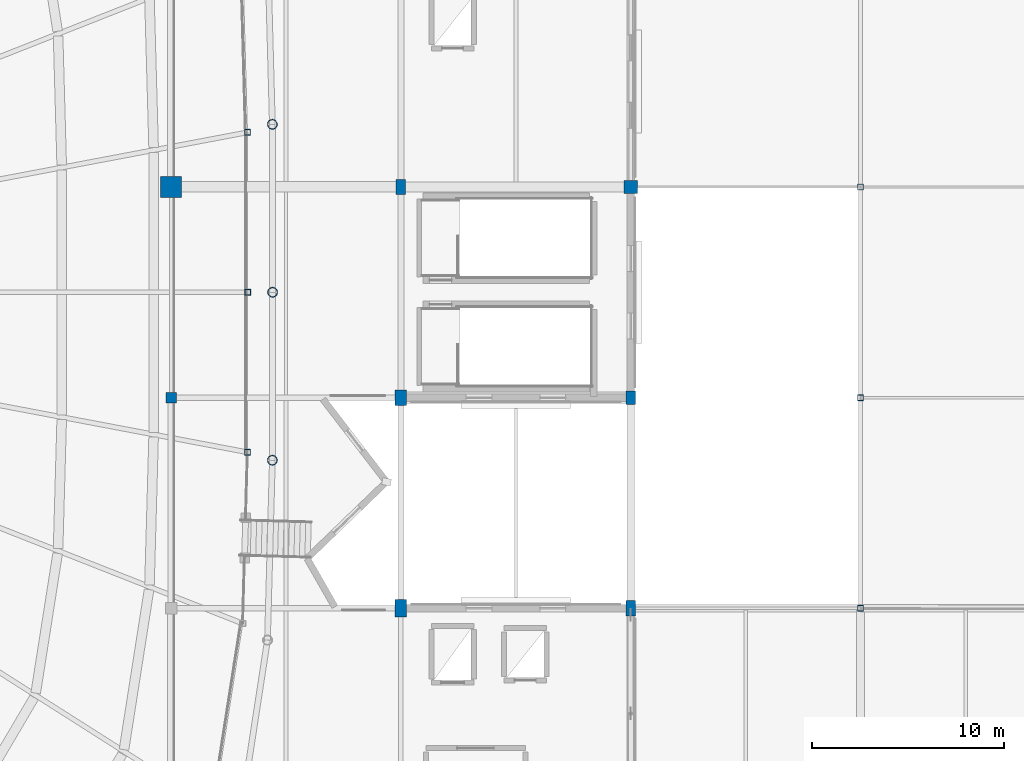
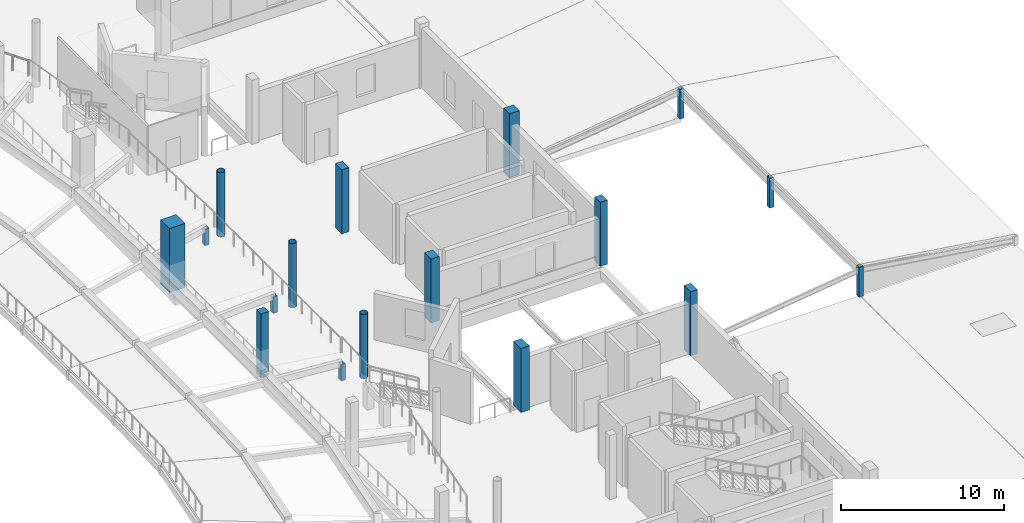
# One storey, part 13 of 77: 17 columns.
"""IFC4 building model written with IfcOpenShell, lengths in metres."""

from ifc_helpers import new_model, si_unit, direction, frame, origin, origin_2d, place, context, subcontext, project, spatial, rectangle, hollow_rectangle, hollow_circle, extrude, material, material_profile, profile_set, type_object, element, save


model = new_model("IFC4")

# Units and contexts
model_context = context("Model", 3, precision=1e-05, world=origin(), true_north=direction((0.0, 1.0)))
body_context = subcontext(model_context, "Body", "Model", "MODEL_VIEW")
ifc_project = project(units=[si_unit("LENGTHUNIT", "METRE"), si_unit("AREAUNIT", "SQUARE_METRE"), si_unit("VOLUMEUNIT", "CUBIC_METRE"), si_unit("PLANEANGLEUNIT", "RADIAN"), si_unit("MASSUNIT", "GRAM", prefix="KILO")], contexts=[model_context])

# Site, building, storey
site_placement = place(None, origin())
site = spatial("IfcSite", under=ifc_project, at=site_placement, CompositionType="ELEMENT")
building_placement = place(site_placement, origin())
building = spatial("IfcBuilding", under=site, at=building_placement, Name="Luwafu Chhajja Arena", CompositionType="ELEMENT")
storey_placement = place(building_placement, frame((0.0, 0.0, 14.699951171875)))
storey = spatial("IfcBuildingStorey", under=building, at=storey_placement, Name="L03", CompositionType="ELEMENT", Elevation=14.699951171875)

# Columns
ifc_material_1 = material(Name="Concrete C35/45", Category="concrete")
ifc_material_profile_1 = material_profile(ifc_material_1, rectangle(XDim=0.5, YDim=0.800048828125, at=origin_2d()), Name="RC 500x800")
ifc_profile_set_1 = profile_set([ifc_material_profile_1], Name="Concrete C35/45")
column_type_1 = type_object("IfcColumnType", Name="BOH Frame Column RC 500x800", PredefinedType="COLUMN", material=ifc_profile_set_1)
for number, where, z_axis, x_axis, name in (
    (1, (152.0, 55.0, 0.0), (0.0, 0.0, 1.0), (1.0, 0.0, 0.0), "L03 Grid Column 14/F"),
    (2, (164.0, 33.0, 0.0), (0.0, 0.0, 1.0), (1.0, 0.0, 0.0), "L03 Grid Column 15/D"),
):
    element("IfcColumn", number, at=place(storey_placement, frame(where, z_axis=z_axis, x_axis=x_axis)), inside=storey, type_object=column_type_1, Name=name, PredefinedType="COLUMN", context=body_context, shape_type="SweptSolid", body=[
        extrude(rectangle(XDim=0.5, YDim=0.800048828125, at=origin_2d()), origin(), (0.0, 0.0, 1.0), 4.800048828125),
    ])
ifc_material_2 = material(Name="Concrete C40/50", Category="concrete")
ifc_material_profile_2 = material_profile(ifc_material_2, rectangle(XDim=1.10009765625, YDim=1.10009765625, at=origin_2d()), Name="RC 1100x1100")
ifc_profile_set_2 = profile_set([ifc_material_profile_2], Name="Concrete C40/50")
column_type_2 = type_object("IfcColumnType", Name="Bowl Rim Mega Column RC 1100", PredefinedType="COLUMN", material=ifc_profile_set_2)
column_1_placement = place(storey_placement, frame((140.0, 55.0, 0.0), z_axis=(0.0, 0.0, 1.0), x_axis=(1.0, 0.0, 0.0)))
element("IfcColumn", 3, at=column_1_placement, inside=storey, type_object=column_type_2, Name="L03 Grid Column 13/F", PredefinedType="COLUMN", context=body_context, shape_type="SweptSolid", body=[
    extrude(rectangle(XDim=1.10009765625, YDim=1.10009765625, at=origin_2d()), origin(), (0.0, 0.0, 1.0), 4.800048828125),
])
ifc_material_profile_3 = material_profile(ifc_material_1, rectangle(XDim=0.550048828125, YDim=0.550048828125, at=origin_2d()), Name="RC 550x550")
ifc_profile_set_3 = profile_set([ifc_material_profile_3], Name="Concrete C35/45")
column_type_3 = type_object("IfcColumnType", Name="Gallery Column RC 550", PredefinedType="COLUMN", material=ifc_profile_set_3)
column_2_placement = place(storey_placement, frame((140.0, 44.0, 0.0), z_axis=(0.0, 0.0, 1.0), x_axis=(1.0, 0.0, 0.0)))
element("IfcColumn", 4, at=column_2_placement, inside=storey, type_object=column_type_3, Name="L03 Grid Column 13/E", PredefinedType="COLUMN", context=body_context, shape_type="SweptSolid", body=[
    extrude(rectangle(XDim=0.550048828125, YDim=0.550048828125, at=origin_2d()), origin(), (0.0, 0.0, 1.0), 4.800048828125),
])
ifc_material_profile_4 = material_profile(ifc_material_1, rectangle(XDim=0.5, YDim=0.699951171875, at=origin_2d()), Name="RC 500x700")
ifc_profile_set_4 = profile_set([ifc_material_profile_4], Name="Concrete C35/45")
column_type_4 = type_object("IfcColumnType", Name="Perimeter Pilaster Column RC 500x700", PredefinedType="COLUMN", material=ifc_profile_set_4)
column_3_placement = place(storey_placement, frame((164.0, 44.0, 0.0), z_axis=(0.0, 0.0, 1.0), x_axis=(1.0, 0.0, 0.0)))
element("IfcColumn", 5, at=column_3_placement, inside=storey, type_object=column_type_4, Name="L03 Grid Column 15/E", PredefinedType="COLUMN", context=body_context, shape_type="SweptSolid", body=[
    extrude(rectangle(XDim=0.5, YDim=0.699951171875, at=origin_2d()), origin(), (0.0, 0.0, 1.0), 4.800048828125),
])
ifc_material_profile_5 = material_profile(ifc_material_2, rectangle(XDim=0.60009765625, YDim=0.800048828125, at=origin_2d()), Name="RC 600x800")
ifc_profile_set_5 = profile_set([ifc_material_profile_5], Name="Concrete C40/50")
column_type_5 = type_object("IfcColumnType", Name="Pishtaq Pier Column RC 600x800", PredefinedType="COLUMN", material=ifc_profile_set_5)
column_4_placement = place(storey_placement, frame((152.0, 44.0, 0.0), z_axis=(0.0, 0.0, 1.0), x_axis=(1.0, 0.0, 0.0)))
element("IfcColumn", 6, at=column_4_placement, inside=storey, type_object=column_type_5, Name="L03 Grid Column 14/E", PredefinedType="COLUMN", context=body_context, shape_type="SweptSolid", body=[
    extrude(rectangle(XDim=0.60009765625, YDim=0.800048828125, at=origin_2d()), origin(), (0.0, 0.0, 1.0), 4.800048828125),
])
ifc_material_3 = material(Name="Steel S355", Category="steel")
ifc_material_profile_6 = material_profile(ifc_material_3, hollow_rectangle(XDim=0.300048828125, YDim=0.300048828125, WallThickness=0.01611328125, at=origin_2d()), Name="SHS 300x300x16")
ifc_profile_set_6 = profile_set([ifc_material_profile_6], Name="Steel S355")
column_type_6 = type_object("IfcColumnType", Name="Steel Gallery Post SHS 300", PredefinedType="COLUMN", material=ifc_profile_set_6)
for number, where, z_axis, x_axis, name in (
    (7, (144.0, 49.5, 0.0), (0.0, 0.0, 1.0), (1.0, 0.0, 0.0), "L03 Upper Raker Rear Post 01"),
    (8, (143.98779296875, 57.85205078125, 0.0), (0.0, 0.0, 1.0), (1.0, 0.0, 0.0), "L03 Upper Raker Rear Post 02"),
    (9, (143.98779296875, 41.14794921875, 0.0), (0.0, 0.0, 1.0), (1.0, 0.0, 0.0), "L03 Upper Raker Rear Post 32"),
):
    element("IfcColumn", number, at=place(storey_placement, frame(where, z_axis=z_axis, x_axis=x_axis)), inside=storey, type_object=column_type_6, Name=name, PredefinedType="COLUMN", context=body_context, shape_type="SweptSolid", body=[
        extrude(hollow_rectangle(XDim=0.300048828125, YDim=0.300048828125, WallThickness=0.01611328125, at=origin_2d()), origin(), (0.0, 0.0, 1.0), 1.219970703125),
    ])
for number, where, z_axis, x_axis, name in (
    (10, (176.0, 33.0, 0.0), (0.0, 0.0, 1.0), (1.0, 0.0, 0.0), "East Pavilion Ridge Post 3"),
    (11, (176.0, 44.0, 0.0), (0.0, 0.0, 1.0), (1.0, 0.0, 0.0), "East Pavilion Ridge Post 4"),
    (12, (176.0, 55.0, 0.0), (0.0, 0.0, 1.0), (1.0, 0.0, 0.0), "East Pavilion Ridge Post 5"),
):
    element("IfcColumn", number, at=place(storey_placement, frame(where, z_axis=z_axis, x_axis=x_axis)), inside=storey, type_object=column_type_6, Name=name, PredefinedType="COLUMN", context=body_context, shape_type="SweptSolid", body=[
        extrude(hollow_rectangle(XDim=0.300048828125, YDim=0.300048828125, WallThickness=0.01611328125, at=origin_2d()), origin(), (0.0, 0.0, 1.0), 2.25),
    ])
ifc_material_profile_7 = material_profile(ifc_material_3, hollow_circle(Radius=0.25390625, WallThickness=0.02001953125, at=origin_2d()), Name="CHS 508x20")
ifc_profile_set_7 = profile_set([ifc_material_profile_7], Name="Steel S355")
column_type_7 = type_object("IfcColumnType", Name="Steel Upper Drum Column CHS 508", PredefinedType="COLUMN", material=ifc_profile_set_7)
for number, where, z_axis, x_axis, name in (
    (13, (145.300048828125, 49.5, 0.0), (0.0, 0.0, 1.0), (1.0, 0.0, 0.0), "L03 Bowl Drum Column D01"),
    (14, (145.28759765625, 58.269775390625, 0.0), (0.0, 0.0, 1.0), (1.0, 0.0, 0.0), "L03 Bowl Drum Column D02"),
    (15, (145.28759765625, 40.730224609375, 0.0), (0.0, 0.0, 1.0), (1.0, 0.0, 0.0), "L03 Bowl Drum Column D32"),
):
    element("IfcColumn", number, at=place(storey_placement, frame(where, z_axis=z_axis, x_axis=x_axis)), inside=storey, type_object=column_type_7, Name=name, PredefinedType="COLUMN", context=body_context, shape_type="SweptSolid", body=[
        extrude(hollow_circle(Radius=0.25390625, WallThickness=0.02001953125, at=origin_2d()), origin(), (0.0, 0.0, 1.0), 4.800048828125),
    ])
ifc_material_profile_8 = material_profile(ifc_material_2, rectangle(XDim=0.60009765625, YDim=0.89990234375, at=origin_2d()), Name="RC 600x900")
ifc_profile_set_8 = profile_set([ifc_material_profile_8], Name="Concrete C40/50")
column_type_8 = type_object("IfcColumnType", Name="Warm-Up Hall Portal Column RC 600x900", PredefinedType="COLUMN", material=ifc_profile_set_8)
column_5_placement = place(storey_placement, frame((152.0, 33.0, 0.0), z_axis=(0.0, 0.0, 1.0), x_axis=(1.0, 0.0, 0.0)))
element("IfcColumn", 16, at=column_5_placement, inside=storey, type_object=column_type_8, Name="L03 Grid Column 14/D", PredefinedType="COLUMN", context=body_context, shape_type="SweptSolid", body=[
    extrude(rectangle(XDim=0.60009765625, YDim=0.89990234375, at=origin_2d()), origin(), (0.0, 0.0, 1.0), 4.800048828125),
])
ifc_material_profile_9 = material_profile(ifc_material_1, rectangle(XDim=0.699951171875, YDim=0.699951171875, at=origin_2d()), Name="RC 700x700")
ifc_profile_set_9 = profile_set([ifc_material_profile_9], Name="Concrete C35/45")
column_type_9 = type_object("IfcColumnType", Name="Wing Frame Column RC 700", PredefinedType="COLUMN", material=ifc_profile_set_9)
column_6_placement = place(storey_placement, frame((164.0, 55.0, 0.0), z_axis=(0.0, 0.0, 1.0), x_axis=(1.0, 0.0, 0.0)))
element("IfcColumn", 17, at=column_6_placement, inside=storey, type_object=column_type_9, Name="L03 Grid Column 15/F", PredefinedType="COLUMN", context=body_context, shape_type="SweptSolid", body=[
    extrude(rectangle(XDim=0.699951171875, YDim=0.699951171875, at=origin_2d()), origin(), (0.0, 0.0, 1.0), 4.800048828125),
])

save(model, "model.ifc")
